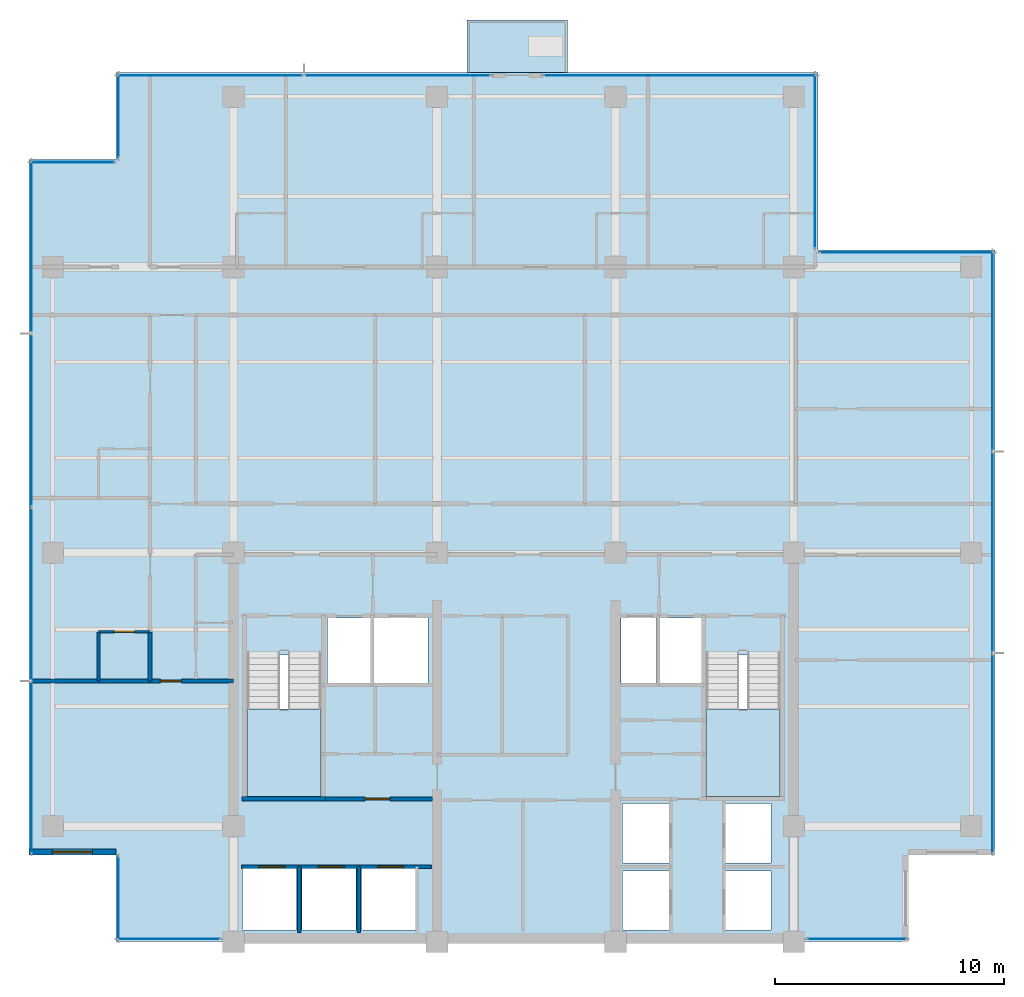
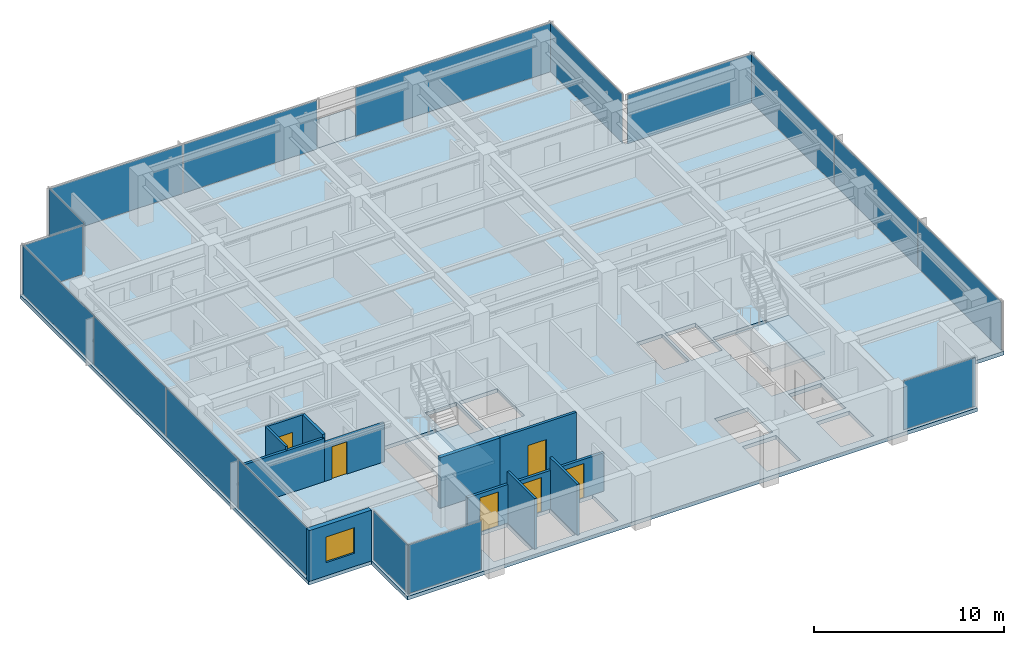
# One storey, part 6 of 15: 17 plates, 11 walls, 6 doors, 4 slabs, 1 window, 7 openings, 13 elements without a shape of their own.
"""IFC4 building model written with IfcOpenShell, lengths in metres."""

import ifcopenshell
import ifcopenshell.guid

model = None  # the IFC model being written
_history = None  # IfcOwnerHistory: only IFC2X3 demands one
_inside = {}  # id of a spatial element -> (the spatial element, [elements in it])
_under = {}  # id of a project, library or spatial element -> (it, [spatial elements below it])
_declared = {}  # id of a project -> (the project, [libraries it declares])
_typed = {}  # id of a type object -> (the type object, [elements of that type])
_made_of = {}  # id of a material, layer set ... -> (it, [elements and type objects made of it])


def new_model(schema):
    """Start an empty IFC model of exactly this schema.

    Asked for "IFC4X3", IfcOpenShell would pick the latest addendum, in which some entities
    have other attributes; the version numbers below select the first issue.
    IFC2X3 requires an IfcOwnerHistory on every rooted entity: one is made here for all.
    """
    global model, _history
    if schema == "IFC4X3":
        model = ifcopenshell.file(schema_version=(4, 3, 0, 0))
    else:
        model = ifcopenshell.file(schema=schema)
    _inside.clear()
    _under.clear()
    _declared.clear()
    _typed.clear()
    _made_of.clear()
    _history = None
    if model.schema == "IFC2X3":
        org = make("IfcOrganization", Name="unknown")
        user = make(
            "IfcPersonAndOrganization",
            ThePerson=make("IfcPerson", FamilyName="unknown"),
            TheOrganization=org,
        )
        app = make(
            "IfcApplication",
            ApplicationDeveloper=org,
            Version="unknown",
            ApplicationFullName="unknown",
            ApplicationIdentifier="unknown",
        )
        _history = make(
            "IfcOwnerHistory",
            OwningUser=user,
            OwningApplication=app,
            ChangeAction="ADDED",
            CreationDate=0,
        )
    return model


def make(cls, **values):
    """One entity of the class cls with the attributes given. An attribute that is None is left unset."""
    return model.create_entity(
        cls, **{name: value for name, value in values.items() if value is not None}
    )


def rooted(cls, **values):
    """An entity with a GlobalId (a new one), such as an element, a storey or a relation."""
    return make(cls, GlobalId=ifcopenshell.guid.new(), OwnerHistory=_history, **values)


def si_unit(unit_type, name, prefix=None):
    """IfcSIUnit, for example si_unit("LENGTHUNIT", "METRE", prefix="MILLI")."""
    return make("IfcSIUnit", UnitType=unit_type, Prefix=prefix, Name=name)


def assignment(units):
    """IfcUnitAssignment: the units of a project."""
    return None if units is None else make("IfcUnitAssignment", Units=units)


def point(xyz):
    """IfcCartesianPoint."""
    return None if xyz is None else make("IfcCartesianPoint", Coordinates=xyz)


def direction(xyz):
    """IfcDirection."""
    return None if xyz is None else make("IfcDirection", DirectionRatios=xyz)


def frame(location, z_axis=None, x_axis=None):
    """IfcAxis2Placement3D, a coordinate frame: its origin and axes. An axis left out is left unset."""
    return make(
        "IfcAxis2Placement3D",
        Location=point(location),
        Axis=direction(z_axis),
        RefDirection=direction(x_axis),
    )


def frame_2d(location, x_axis=None):
    """IfcAxis2Placement2D, a coordinate frame in the plane: its origin and x axis."""
    return make(
        "IfcAxis2Placement2D", Location=point(location), RefDirection=direction(x_axis)
    )


def origin():
    """The frame at (0, 0, 0) with its axes left unset."""
    return frame((0.0, 0.0, 0.0))


def origin_2d():
    """The frame at (0, 0) in the plane with its x axis left unset."""
    return frame_2d((0.0, 0.0))


def place(relative_to, where):
    """IfcLocalPlacement: puts the frame where relative to a parent placement (None: the world)."""
    return make(
        "IfcLocalPlacement", PlacementRelTo=relative_to, RelativePlacement=where
    )


def context(
    kind, dimensions, precision=None, world=None, true_north=None, identifier=None
):
    """IfcGeometricRepresentationContext, for example the 3D "Model" context."""
    return make(
        "IfcGeometricRepresentationContext",
        ContextIdentifier=identifier,
        ContextType=kind,
        CoordinateSpaceDimension=dimensions,
        Precision=precision,
        WorldCoordinateSystem=world,
        TrueNorth=true_north,
    )


def subcontext(parent, identifier, kind, view, scale=None):
    """IfcGeometricRepresentationSubContext, for example "Body" below "Model"."""
    return make(
        "IfcGeometricRepresentationSubContext",
        ContextIdentifier=identifier,
        ContextType=kind,
        ParentContext=parent,
        TargetScale=scale,
        TargetView=view,
    )


def project(units=None, contexts=None):
    """IfcProject with its units and contexts."""
    return rooted(
        "IfcProject",
        Name="project",
        RepresentationContexts=contexts,
        UnitsInContext=assignment(units),
    )


def spatial(cls, under=None, at=None, **own):
    """A site, building, storey or space (cls), placed at a placement, below another one or the project."""
    s = rooted(cls, ObjectPlacement=at, **own)
    if under is not None:
        _under.setdefault(under.id(), (under, []))[1].append(s)
    return s


def polyline(points):
    """IfcPolyline through the points."""
    return make("IfcPolyline", Points=[point(p) for p in points])


def profile(cls, at=None, kind="AREA", **sizes):
    """A parametric profile (cls). Its sizes go by their IFC names, for example OverallWidth=200.0."""
    return make(cls, ProfileType=kind, Position=at, **sizes)


def rectangle(**sizes):
    """IfcRectangleProfileDef."""
    return profile("IfcRectangleProfileDef", **sizes)


def outline(outer, holes=None, kind="AREA"):
    """IfcArbitraryClosedProfileDef: a profile drawn as a closed curve; with holes, ...WithVoids."""
    if holes is None:
        return make("IfcArbitraryClosedProfileDef", ProfileType=kind, OuterCurve=outer)
    return make(
        "IfcArbitraryProfileDefWithVoids",
        ProfileType=kind,
        OuterCurve=outer,
        InnerCurves=holes,
    )


def extrude(swept, where, along, depth):
    """IfcExtrudedAreaSolid: the profile swept, set in the frame where, extruded along a direction by depth."""
    return make(
        "IfcExtrudedAreaSolid",
        SweptArea=swept,
        Position=where,
        ExtrudedDirection=direction(along),
        Depth=depth,
    )


def shape(context_of_items, identifier, shape_type, items):
    """IfcShapeRepresentation: the items that make up one representation, for example the "Body"."""
    return make(
        "IfcShapeRepresentation",
        ContextOfItems=context_of_items,
        RepresentationIdentifier=identifier,
        RepresentationType=shape_type,
        Items=items,
    )


def material(Name=None, Category=None):
    """IfcMaterial."""
    return make("IfcMaterial", Name=Name, Category=Category)


def layer(
    of_material, thickness, ventilated=None, Name=None, Category=None, Priority=None
):
    """IfcMaterialLayer: one layer of a wall or slab, of a material (None: an air gap)."""
    return make(
        "IfcMaterialLayer",
        Material=of_material,
        LayerThickness=thickness,
        IsVentilated=ventilated,
        Name=Name,
        Category=Category,
        Priority=Priority,
    )


def layer_set(layers, Name=None):
    """IfcMaterialLayerSet."""
    return make("IfcMaterialLayerSet", MaterialLayers=layers, LayerSetName=Name)


def made_of(thing, what):
    """Note that an element or type object is made of a material, layer set ...; save() writes the relation."""
    if what is not None:
        _made_of.setdefault(what.id(), (what, []))[1].append(thing)
    return thing


def type_object(cls, material=None, **own):
    """A type object (cls), such as IfcWallType, which elements share."""
    return made_of(rooted(cls, **own), material)


def element(
    cls,
    number,
    at=None,
    inside=None,
    cuts=None,
    type_object=None,
    material=None,
    context=None,
    identifier="Body",
    shape_type=None,
    held_by="IfcProductDefinitionShape",
    body=None,
    shapes=None,
    **own,
):
    """One element of the class cls, such as IfcWall. Its Tag is "e" and its number.

    at: its placement. inside: the storey or other place that contains it. cuts: it is an
    opening in that element (IfcRelVoidsElement). A single representation is given by context,
    identifier, shape_type and body (its items); several are given by shapes. held_by: the class
    of the entity that holds the representations. save() writes the other relations.
    """
    e = rooted(cls, Tag="e%d" % number, ObjectPlacement=at, **own)
    if body is not None:
        shapes = [shape(context, identifier, shape_type, body)]
    if shapes is not None:
        e.Representation = make(held_by, Representations=shapes)
    if inside is not None:
        _inside.setdefault(inside.id(), (inside, []))[1].append(e)
    if cuts is not None:
        rooted(
            "IfcRelVoidsElement", RelatingBuildingElement=cuts, RelatedOpeningElement=e
        )
    if type_object is not None:
        _typed.setdefault(type_object.id(), (type_object, []))[1].append(e)
    return made_of(e, material)


def fill(opening, filler):
    """IfcRelFillsElement: the door or window that sits in an opening."""
    return rooted(
        "IfcRelFillsElement",
        RelatingOpeningElement=opening,
        RelatedBuildingElement=filler,
    )


def aggregate(whole, parts):
    """IfcRelAggregates: a whole, such as a stair, and the parts it consists of."""
    return rooted("IfcRelAggregates", RelatingObject=whole, RelatedObjects=parts)


def save(model, path):
    """Write the relations noted so far, then the file.

    IfcRelAggregates (storeys below a building ...), IfcRelContainedInSpatialStructure (elements
    in a storey), IfcRelDefinesByType, IfcRelAssociatesMaterial and IfcRelDeclares: one each for
    every whole, place, type object, material and project.
    """
    for whole, parts in _under.values():
        aggregate(whole, parts)
    for where, things in _inside.values():
        rooted(
            "IfcRelContainedInSpatialStructure",
            RelatedElements=things,
            RelatingStructure=where,
        )
    for kind, things in _typed.values():
        rooted("IfcRelDefinesByType", RelatedObjects=things, RelatingType=kind)
    for what, things in _made_of.values():
        rooted("IfcRelAssociatesMaterial", RelatedObjects=things, RelatingMaterial=what)
    for by, libraries in _declared.values():
        rooted("IfcRelDeclares", RelatingContext=by, RelatedDefinitions=libraries)
    model.write(path)


model = new_model("IFC4")

# Units and contexts
model_context = context("Model", 3, precision=1e-05, world=origin(), true_north=direction((0.0, 1.0)))
body_context = subcontext(model_context, "Body", "Model", "MODEL_VIEW")
ifc_project = project(units=[si_unit("LENGTHUNIT", "METRE"), si_unit("AREAUNIT", "SQUARE_METRE"), si_unit("VOLUMEUNIT", "CUBIC_METRE"), si_unit("PLANEANGLEUNIT", "RADIAN"), si_unit("MASSUNIT", "GRAM", prefix="KILO")], contexts=[model_context])

# Site, building, storey
site_placement = place(None, origin())
site = spatial("IfcSite", under=ifc_project, at=site_placement, CompositionType="ELEMENT")
building_placement = place(site_placement, origin())
building = spatial("IfcBuilding", under=site, at=building_placement, Name="Qalmaran Belvedere Hotel", CompositionType="ELEMENT")
storey_placement = place(building_placement, frame((0.0, 0.0, 214.39990234375)))
storey = spatial("IfcBuildingStorey", under=building, at=storey_placement, Name="L54", CompositionType="ELEMENT", Elevation=214.39990234375)

# Curtain wall, plate
ifc_material_1 = material(Name="Anodised Bronze Aluminium", Category="aluminium")
ifc_layer_1 = layer(ifc_material_1, 0.18994140625, Name="Anodised Bronze Aluminium")
ifc_layer_set_1 = layer_set([ifc_layer_1], Name="Anodised Bronze Aluminium")
curtain_wall_type = type_object("IfcCurtainWallType", Name="CW5-TOWER-UPPER", PredefinedType="NOTDEFINED", material=ifc_layer_set_1)
curtain_wall_1_placement = place(storey_placement, origin())
curtain_wall_1 = element("IfcCurtainWall", 1, at=curtain_wall_1_placement, inside=storey, type_object=curtain_wall_type, Name="L54 Curtain Wall CW5", PredefinedType="NOTDEFINED")
ifc_material_2 = material(Name="Solar-Control Double Glazing", Category="glass")
ifc_layer_2 = layer(ifc_material_2, 0.028076171875, Name="Solar-Control Double Glazing")
ifc_layer_set_2 = layer_set([ifc_layer_2], Name="Solar-Control Double Glazing")
plate_type = type_object("IfcPlateType", Name="CWP-VISION-28", PredefinedType="CURTAIN_PANEL", material=ifc_layer_set_2)
plate_1_placement = place(storey_placement, frame((17.467529296875, 3.6201171875, 0.065185546875), z_axis=(0.0, 0.0, 1.0), x_axis=(1.0, 0.0, 0.0)))
plate_1 = element("IfcPlate", 2, at=plate_1_placement, type_object=plate_type, Name="CW5 panel 1.1", PredefinedType="CURTAIN_PANEL", context=body_context, shape_type="SweptSolid", body=[
    extrude(rectangle(XDim=4.5048828125, YDim=0.028076171875, at=origin_2d()), origin(), (0.0, 0.0, 1.0), 3.1298828125),
])
aggregate(curtain_wall_1, [plate_1])

curtain_wall_2_placement = place(storey_placement, origin())
curtain_wall_2 = element("IfcCurtainWall", 3, at=curtain_wall_2_placement, inside=storey, type_object=curtain_wall_type, Name="L54 Curtain Wall CW5", PredefinedType="NOTDEFINED")
plate_2_placement = place(storey_placement, frame((47.5576171875, 3.6201171875, 0.065185546875), z_axis=(0.0, 0.0, 1.0), x_axis=(1.0, 0.0, 0.0)))
plate_2 = element("IfcPlate", 4, at=plate_2_placement, type_object=plate_type, Name="CW5 panel 1.1", PredefinedType="CURTAIN_PANEL", context=body_context, shape_type="SweptSolid", body=[
    extrude(rectangle(XDim=4.35498046875, YDim=0.028076171875, at=origin_2d()), origin(), (0.0, 0.0, 1.0), 3.1298828125),
])
aggregate(curtain_wall_2, [plate_2])

# Curtain wall, plates
curtain_wall_3_placement = place(storey_placement, origin())
curtain_wall_3 = element("IfcCurtainWall", 5, at=curtain_wall_3_placement, inside=storey, type_object=curtain_wall_type, Name="L54 Curtain Wall CW5", PredefinedType="NOTDEFINED")
plate_3_placement = place(storey_placement, frame((53.47998046875, 11.724609375, 0.065185546875), z_axis=(0.0, 0.0, 1.0), x_axis=(0.0, 1.0, 0.0)))
plate_3 = element("IfcPlate", 6, at=plate_3_placement, type_object=plate_type, Name="CW5 panel 1.1", PredefinedType="CURTAIN_PANEL", context=body_context, shape_type="SweptSolid", body=[
    extrude(rectangle(XDim=8.71923828125, YDim=0.028076171875, at=origin_2d()), origin(), (0.0, 0.0, 1.0), 3.1298828125),
])
plate_4_placement = place(storey_placement, frame((53.47998046875, 20.52490234375, 0.065185546875), z_axis=(0.0, 0.0, 1.0), x_axis=(0.0, 1.0, 0.0)))
plate_4 = element("IfcPlate", 7, at=plate_4_placement, type_object=plate_type, Name="CW5 panel 2.1", PredefinedType="CURTAIN_PANEL", context=body_context, shape_type="SweptSolid", body=[
    extrude(rectangle(XDim=8.751708984375, YDim=0.028076171875, at=origin_2d()), origin(), (0.0, 0.0, 1.0), 3.1298828125),
])
plate_5_placement = place(storey_placement, frame((53.47998046875, 29.325439453125, 0.065185546875), z_axis=(0.0, 0.0, 1.0), x_axis=(0.0, 1.0, 0.0)))
plate_5 = element("IfcPlate", 8, at=plate_5_placement, type_object=plate_type, Name="CW5 panel 3.1", PredefinedType="CURTAIN_PANEL", context=body_context, shape_type="SweptSolid", body=[
    extrude(rectangle(XDim=8.71923828125, YDim=0.028076171875, at=origin_2d()), origin(), (0.0, 0.0, 1.0), 3.1298828125),
])
aggregate(curtain_wall_3, [plate_3, plate_4, plate_5])

# Curtain wall, plate
curtain_wall_4_placement = place(storey_placement, origin())
curtain_wall_4 = element("IfcCurtainWall", 9, at=curtain_wall_4_placement, inside=storey, type_object=curtain_wall_type, Name="L54 Curtain Wall CW5", PredefinedType="NOTDEFINED")
plate_6_placement = place(storey_placement, frame((49.72509765625, 33.6298828125, 0.065185546875), z_axis=(0.0, 0.0, 1.0), x_axis=(-1.0, 0.0, 0.0)))
plate_6 = element("IfcPlate", 10, at=plate_6_placement, type_object=plate_type, Name="CW5 panel 1.1", PredefinedType="CURTAIN_PANEL", context=body_context, shape_type="SweptSolid", body=[
    extrude(rectangle(XDim=7.6201171875, YDim=0.028076171875, at=origin_2d()), origin(), (0.0, 0.0, 1.0), 3.1298828125),
])
aggregate(curtain_wall_4, [plate_6])

curtain_wall_5_placement = place(storey_placement, origin())
curtain_wall_5 = element("IfcCurtainWall", 11, at=curtain_wall_5_placement, inside=storey, type_object=curtain_wall_type, Name="L54 Curtain Wall CW5", PredefinedType="NOTDEFINED")
plate_7_placement = place(storey_placement, frame((45.72998046875, 37.625, 0.065185546875), z_axis=(0.0, 0.0, 1.0), x_axis=(0.0, 1.0, 0.0)))
plate_7 = element("IfcPlate", 12, at=plate_7_placement, type_object=plate_type, Name="CW5 panel 1.1", PredefinedType="CURTAIN_PANEL", context=body_context, shape_type="SweptSolid", body=[
    extrude(rectangle(XDim=7.6201171875, YDim=0.028076171875, at=origin_2d()), origin(), (0.0, 0.0, 1.0), 3.1298828125),
])
aggregate(curtain_wall_5, [plate_7])

# Curtain wall, plates
curtain_wall_6_placement = place(storey_placement, origin())
curtain_wall_6 = element("IfcCurtainWall", 13, at=curtain_wall_6_placement, inside=storey, type_object=curtain_wall_type, Name="L54 Curtain Wall CW5", PredefinedType="NOTDEFINED")
plate_8_placement = place(storey_placement, frame((27.47119140625, 41.3798828125, 0.065185546875), z_axis=(0.0, 0.0, 1.0), x_axis=(-1.0, 0.0, 0.0)))
plate_8 = element("IfcPlate", 14, at=plate_8_placement, type_object=plate_type, Name="CW5 panel 1.1", PredefinedType="CURTAIN_PANEL", context=body_context, shape_type="SweptSolid", body=[
    extrude(rectangle(XDim=8.12744140625, YDim=0.028076171875, at=origin_2d()), origin(), (0.0, 0.0, 1.0), 3.1298828125),
])
plate_9_placement = place(storey_placement, frame((19.27880859375, 41.3798828125, 0.065185546875), z_axis=(0.0, 0.0, 1.0), x_axis=(-1.0, 0.0, 0.0)))
plate_9 = element("IfcPlate", 15, at=plate_9_placement, type_object=plate_type, Name="CW5 panel 2.1", PredefinedType="CURTAIN_PANEL", context=body_context, shape_type="SweptSolid", body=[
    extrude(rectangle(XDim=8.12744140625, YDim=0.028076171875, at=origin_2d()), origin(), (0.0, 0.0, 1.0), 3.1298828125),
])
aggregate(curtain_wall_6, [plate_8, plate_9])

# Curtain wall, plate
curtain_wall_7_placement = place(storey_placement, origin())
curtain_wall_7 = element("IfcCurtainWall", 16, at=curtain_wall_7_placement, inside=storey, type_object=curtain_wall_type, Name="L54 Curtain Wall CW5", PredefinedType="NOTDEFINED")
plate_10_placement = place(storey_placement, frame((39.824951171875, 41.3798828125, 0.065185546875), z_axis=(0.0, 0.0, 1.0), x_axis=(-1.0, 0.0, 0.0)))
plate_10 = element("IfcPlate", 17, at=plate_10_placement, type_object=plate_type, Name="CW5 panel 1.1", PredefinedType="CURTAIN_PANEL", context=body_context, shape_type="SweptSolid", body=[
    extrude(rectangle(XDim=11.919921875, YDim=0.028076171875, at=origin_2d()), origin(), (0.0, 0.0, 1.0), 3.1298828125),
])
aggregate(curtain_wall_7, [plate_10])

curtain_wall_8_placement = place(storey_placement, origin())
curtain_wall_8 = element("IfcCurtainWall", 18, at=curtain_wall_8_placement, inside=storey, type_object=curtain_wall_type, Name="L54 Curtain Wall CW5", PredefinedType="NOTDEFINED")
plate_11_placement = place(storey_placement, frame((15.27001953125, 39.60009765625, 0.065185546875), z_axis=(0.0, 0.0, 1.0), x_axis=(0.0, -1.0, 0.0)))
plate_11 = element("IfcPlate", 19, at=plate_11_placement, type_object=plate_type, Name="CW5 panel 1.1", PredefinedType="CURTAIN_PANEL", context=body_context, shape_type="SweptSolid", body=[
    extrude(rectangle(XDim=3.669921875, YDim=0.028076171875, at=origin_2d()), origin(), (0.0, 0.0, 1.0), 3.1298828125),
])
aggregate(curtain_wall_8, [plate_11])

curtain_wall_9_placement = place(storey_placement, origin())
curtain_wall_9 = element("IfcCurtainWall", 20, at=curtain_wall_9_placement, inside=storey, type_object=curtain_wall_type, Name="L54 Curtain Wall CW5", PredefinedType="NOTDEFINED")
plate_12_placement = place(storey_placement, frame((13.25, 37.580078125, 0.065185546875), z_axis=(0.0, 0.0, 1.0), x_axis=(-1.0, 0.0, 0.0)))
plate_12 = element("IfcPlate", 21, at=plate_12_placement, type_object=plate_type, Name="CW5 panel 1.1", PredefinedType="CURTAIN_PANEL", context=body_context, shape_type="SweptSolid", body=[
    extrude(rectangle(XDim=3.669921875, YDim=0.028076171875, at=origin_2d()), origin(), (0.0, 0.0, 1.0), 3.1298828125),
])
aggregate(curtain_wall_9, [plate_12])

# Curtain wall, plates
curtain_wall_10_placement = place(storey_placement, origin())
curtain_wall_10 = element("IfcCurtainWall", 22, at=curtain_wall_10_placement, inside=storey, type_object=curtain_wall_type, Name="L54 Curtain Wall CW5", PredefinedType="NOTDEFINED")
plate_13_placement = place(storey_placement, frame((11.469970703125, 33.8837890625, 0.065185546875), z_axis=(0.0, 0.0, 1.0), x_axis=(0.0, -1.0, 0.0)))
plate_13 = element("IfcPlate", 23, at=plate_13_placement, type_object=plate_type, Name="CW5 panel 1.1", PredefinedType="CURTAIN_PANEL", context=body_context, shape_type="SweptSolid", body=[
    extrude(rectangle(XDim=7.50244140625, YDim=0.028076171875, at=origin_2d()), origin(), (0.0, 0.0, 1.0), 3.1298828125),
])
plate_14_placement = place(storey_placement, frame((11.469970703125, 26.300048828125, 0.065185546875), z_axis=(0.0, 0.0, 1.0), x_axis=(0.0, -1.0, 0.0)))
plate_14 = element("IfcPlate", 24, at=plate_14_placement, type_object=plate_type, Name="CW5 panel 2.1", PredefinedType="CURTAIN_PANEL", context=body_context, shape_type="SweptSolid", body=[
    extrude(rectangle(XDim=7.534912109375, YDim=0.028076171875, at=origin_2d()), origin(), (0.0, 0.0, 1.0), 3.1298828125),
])
plate_15_placement = place(storey_placement, frame((11.469970703125, 18.699951171875, 0.065185546875), z_axis=(0.0, 0.0, 1.0), x_axis=(0.0, -1.0, 0.0)))
plate_15 = element("IfcPlate", 25, at=plate_15_placement, type_object=plate_type, Name="CW5 panel 3.1", PredefinedType="CURTAIN_PANEL", context=body_context, shape_type="SweptSolid", body=[
    extrude(rectangle(XDim=7.534912109375, YDim=0.028076171875, at=origin_2d()), origin(), (0.0, 0.0, 1.0), 3.1298828125),
])
plate_16_placement = place(storey_placement, frame((11.469970703125, 11.1162109375, 0.065185546875), z_axis=(0.0, 0.0, 1.0), x_axis=(0.0, -1.0, 0.0)))
plate_16 = element("IfcPlate", 26, at=plate_16_placement, type_object=plate_type, Name="CW5 panel 4.1", PredefinedType="CURTAIN_PANEL", context=body_context, shape_type="SweptSolid", body=[
    extrude(rectangle(XDim=7.50244140625, YDim=0.028076171875, at=origin_2d()), origin(), (0.0, 0.0, 1.0), 3.1298828125),
])
aggregate(curtain_wall_10, [plate_13, plate_14, plate_15, plate_16])

# Curtain wall, plate
curtain_wall_11_placement = place(storey_placement, origin())
curtain_wall_11 = element("IfcCurtainWall", 27, at=curtain_wall_11_placement, inside=storey, type_object=curtain_wall_type, Name="L54 Curtain Wall CW5", PredefinedType="NOTDEFINED")
plate_17_placement = place(storey_placement, frame((15.27001953125, 5.39990234375, 0.065185546875), z_axis=(0.0, 0.0, 1.0), x_axis=(0.0, -1.0, 0.0)))
plate_17 = element("IfcPlate", 28, at=plate_17_placement, type_object=plate_type, Name="CW5 panel 1.1", PredefinedType="CURTAIN_PANEL", context=body_context, shape_type="SweptSolid", body=[
    extrude(rectangle(XDim=3.669921875, YDim=0.028076171875, at=origin_2d()), origin(), (0.0, 0.0, 1.0), 3.1298828125),
])
aggregate(curtain_wall_11, [plate_17])

# Slab
ifc_material_3 = material(Name="Concrete C40/50", Category="concrete")
ifc_layer_3 = layer(ifc_material_3, 0.219970703125, Name="Concrete C40/50")
ifc_layer_set_3 = layer_set([ifc_layer_3], Name="Concrete C40/50")
slab_type_1 = type_object("IfcSlabType", Name="SLB-BAL-220", PredefinedType="USERDEFINED", material=ifc_layer_set_3)
slab_1_placement = place(storey_placement, frame((0.0, 0.0, -0.219970703125)))
element("IfcSlab", 29, at=slab_1_placement, inside=storey, type_object=slab_type_1, Name="L54 Planted Tree Balcony Slab 1", ObjectType="BALCONY", PredefinedType="USERDEFINED", context=body_context, shape_type="SweptSolid", body=[
    extrude(outline(polyline([(30.5, 41.5), (34.89990234375, 41.5), (34.89990234375, 43.800048828125), (30.5, 43.800048828125), (30.5, 41.5)])), origin(), (0.0, 0.0, 1.0), 0.219970703125),
])

# Stair, slab
stair_type_1 = type_object("IfcStairType", Name="STR-ST-1-1450-R1750", PredefinedType="HALF_TURN_STAIR", material=ifc_material_3)
stair_1_placement = place(storey_placement, origin())
stair_1 = element("IfcStair", 30, at=stair_1_placement, inside=storey, type_object=stair_type_1, Name="L54 West Core Exit Stair ST-1", PredefinedType="HALF_TURN_STAIR")
ifc_layer_4 = layer(ifc_material_3, 0.199951171875, Name="Concrete C40/50")
ifc_layer_set_4 = layer_set([ifc_layer_4], Name="Concrete C40/50")
slab_type_2 = type_object("IfcSlabType", Name="SLB-STAIR-LANDING-200", PredefinedType="LANDING", material=ifc_layer_set_4)
slab_2_placement = place(storey_placement, frame((0.0, 0.0, 1.550048828125)))
slab_2 = element("IfcSlab", 31, at=slab_2_placement, type_object=slab_type_2, Name="ST-1 landing 1", PredefinedType="LANDING", context=body_context, shape_type="SweptSolid", body=[
    extrude(outline(polyline([(20.8798828125, 13.669921875), (20.8798828125, 9.85009765625), (24.1201171875, 9.85009765625), (24.1201171875, 13.669921875), (20.8798828125, 13.669921875)])), origin(), (0.0, 0.0, 1.0), 0.199951171875),
])
aggregate(stair_1, [slab_2])

stair_type_2 = type_object("IfcStairType", Name="STR-ST-2-1450-R1750", PredefinedType="HALF_TURN_STAIR", material=ifc_material_3)
stair_2_placement = place(storey_placement, origin())
stair_2 = element("IfcStair", 32, at=stair_2_placement, inside=storey, type_object=stair_type_2, Name="L54 East Core Exit Stair ST-2", PredefinedType="HALF_TURN_STAIR")
slab_3_placement = place(storey_placement, frame((0.0, 0.0, 1.550048828125)))
slab_3 = element("IfcSlab", 33, at=slab_3_placement, type_object=slab_type_2, Name="ST-2 landing 1", PredefinedType="LANDING", context=body_context, shape_type="SweptSolid", body=[
    extrude(outline(polyline([(40.9599609375, 13.669921875), (40.9599609375, 9.85009765625), (44.199951171875, 9.85009765625), (44.199951171875, 13.669921875), (40.9599609375, 13.669921875)])), origin(), (0.0, 0.0, 1.0), 0.199951171875),
])
aggregate(stair_2, [slab_3])

# Slab
ifc_layer_5 = layer(ifc_material_3, 0.239990234375, Name="Concrete C40/50")
ifc_layer_set_5 = layer_set([ifc_layer_5], Name="Concrete C40/50")
slab_type_3 = type_object("IfcSlabType", Name="SLB-Z4-240", PredefinedType="FLOOR", material=ifc_layer_set_5)
slab_4_placement = place(storey_placement, frame((0.0, 0.0, -0.239990234375)))
element("IfcSlab", 34, at=slab_4_placement, inside=storey, type_object=slab_type_3, Name="L54 Structural Floor Slab", PredefinedType="FLOOR", context=body_context, shape_type="SweptSolid", body=[
    extrude(outline(polyline([(15.14990234375, 3.5), (49.800048828125, 3.5), (49.800048828125, 7.300048828125), (53.60009765625, 7.300048828125), (53.60009765625, 33.75), (45.85009765625, 33.75), (45.85009765625, 41.5), (15.14990234375, 41.5), (15.14990234375, 37.699951171875), (11.35009765625, 37.699951171875), (11.35009765625, 7.300048828125), (15.14990234375, 7.300048828125), (15.14990234375, 3.5)]), holes=[polyline([(20.8798828125, 9.85009765625), (24.1201171875, 9.85009765625), (24.1201171875, 16.0400390625), (20.8798828125, 16.0400390625), (20.8798828125, 9.85009765625)]), polyline([(40.9599609375, 9.85009765625), (44.199951171875, 9.85009765625), (44.199951171875, 16.0400390625), (40.9599609375, 16.0400390625), (40.9599609375, 9.85009765625)]), polyline([(37.300048828125, 4.0), (39.35009765625, 4.0), (39.35009765625, 6.60009765625), (37.300048828125, 6.60009765625), (37.300048828125, 4.0)]), polyline([(37.300048828125, 6.949951171875), (39.35009765625, 6.949951171875), (39.35009765625, 9.550048828125), (37.300048828125, 9.550048828125), (37.300048828125, 6.949951171875)]), polyline([(41.800048828125, 4.0), (43.800048828125, 4.0), (43.800048828125, 6.60009765625), (41.800048828125, 6.60009765625), (41.800048828125, 4.0)]), polyline([(41.800048828125, 6.949951171875), (43.800048828125, 6.949951171875), (43.800048828125, 9.550048828125), (41.800048828125, 9.550048828125), (41.800048828125, 6.949951171875)]), polyline([(20.699951171875, 4.0), (23.050048828125, 4.0), (23.050048828125, 6.699951171875), (20.699951171875, 6.699951171875), (20.699951171875, 4.0)]), polyline([(23.300048828125, 4.0), (25.64990234375, 4.0), (25.64990234375, 6.699951171875), (23.300048828125, 6.699951171875), (23.300048828125, 4.0)]), polyline([(25.89990234375, 4.0), (28.25, 4.0), (28.25, 6.699951171875), (25.89990234375, 6.699951171875), (25.89990234375, 4.0)]), polyline([(24.39990234375, 14.800048828125), (26.300048828125, 14.800048828125), (26.300048828125, 17.64990234375), (24.39990234375, 17.64990234375), (24.39990234375, 14.800048828125)]), polyline([(38.949951171875, 14.800048828125), (40.820068359375, 14.800048828125), (40.820068359375, 17.64990234375), (38.949951171875, 17.64990234375), (38.949951171875, 14.800048828125)]), polyline([(26.449951171875, 14.800048828125), (28.800048828125, 14.800048828125), (28.800048828125, 17.64990234375), (26.449951171875, 17.64990234375), (26.449951171875, 14.800048828125)]), polyline([(37.25, 14.800048828125), (38.800048828125, 14.800048828125), (38.800048828125, 17.64990234375), (37.25, 17.64990234375), (37.25, 14.800048828125)])]), origin(), (0.0, 0.0, 1.0), 0.239990234375),
])

# Wall, opening, window
ifc_material_4 = material(Name="Anodised Bronze Cladding")
ifc_layer_6 = layer(ifc_material_4, 0.280029296875, Name="Anodised Bronze Cladding")
ifc_layer_set_6 = layer_set([ifc_layer_6], Name="Anodised Bronze Cladding")
wall_type_1 = type_object("IfcWallType", Name="WL-EXT-BRNZ-280", PredefinedType="SOLIDWALL", material=ifc_layer_set_6)
wall_1_placement = place(storey_placement, frame((11.35009765625, 7.419921875, 0.0), z_axis=(0.0, 0.0, 1.0), x_axis=(1.0, 0.0, 0.0)))
wall_1 = element("IfcWall", 35, at=wall_1_placement, inside=storey, type_object=wall_type_1, Name="L54 Corner Notch Wall 10", PredefinedType="SOLIDWALL", context=body_context, shape_type="SweptSolid", body=[
    extrude(rectangle(XDim=3.7998046875, YDim=0.280029296875, at=frame_2d((1.89990234375, 0.0))), origin(), (0.0, 0.0, 1.0), 3.260009765625),
])
opening_1_placement = place(wall_1_placement, frame((1.02490234375, 0.0, 0.85009765625)))
opening_1 = element("IfcOpeningElement", 36, at=opening_1_placement, cuts=wall_1, Name="Opening W-N17", PredefinedType="OPENING", context=body_context, shape_type="SweptSolid", body=[
    extrude(rectangle(XDim=1.75, YDim=1.64990234375, at=frame_2d((0.875, 0.824951171875))), frame((0.0, 0.14990234375, 0.0), z_axis=(0.0, -1.0, 0.0), x_axis=(1.0, 0.0, 0.0)), (0.0, 0.0, 1.0), 0.300048828125),
])
window_type = type_object("IfcWindowType", Name="WN-NTC-1750X1650", PartitioningType="SINGLE_PANEL", PredefinedType="WINDOW", material=ifc_material_2)
window_placement = place(opening_1_placement, origin())
window = element("IfcWindow", 37, at=window_placement, inside=storey, type_object=window_type, Name="L54 Corner Notch Window 10", OverallHeight=1.64990234375, OverallWidth=1.75, PartitioningType="SINGLE_PANEL", PredefinedType="WINDOW", context=body_context, shape_type="SweptSolid", body=[
    extrude(rectangle(XDim=1.75, YDim=1.64990234375, at=frame_2d((0.875, 0.824951171875))), frame((0.0, 0.030029296875, 0.0), z_axis=(0.0, -1.0, 0.0), x_axis=(1.0, 0.0, 0.0)), (0.0, 0.0, 1.0), 0.06005859375),
])
fill(opening_1, window)

# Wall, opening, door
ifc_material_5 = material(Name="Moisture-Resistant Gypsum")
ifc_layer_7 = layer(ifc_material_5, 0.1201171875, Name="Moisture-Resistant Gypsum")
ifc_layer_set_7 = layer_set([ifc_layer_7], Name="Moisture-Resistant Gypsum")
wall_type_2 = type_object("IfcWallType", Name="WL-INT-120-BATH", PredefinedType="PARTITIONING", material=ifc_layer_set_7)
wall_2_placement = place(storey_placement, frame((14.39990234375, 17.050048828125, 0.0), z_axis=(0.0, 0.0, 1.0), x_axis=(1.0, 0.0, 0.0)))
wall_2 = element("IfcWall", 38, at=wall_2_placement, inside=storey, type_object=wall_type_2, Name="L54 Partition WL-L54-WBN00", PredefinedType="PARTITIONING", context=body_context, shape_type="SweptSolid", body=[
    extrude(rectangle(XDim=2.25, YDim=0.1201171875, at=frame_2d((1.125, 0.0))), origin(), (0.0, 0.0, 1.0), 2.998046875),
])
opening_2_placement = place(wall_2_placement, frame((1.56494140625, 0.0, 0.0), z_axis=(0.0, 0.0, 1.0), x_axis=(-1.0, 0.0, 0.0)))
opening_2 = element("IfcOpeningElement", 39, at=opening_2_placement, cuts=wall_2, Name="Opening D-BATH", PredefinedType="OPENING", context=body_context, shape_type="SweptSolid", body=[
    extrude(rectangle(XDim=0.8798828125, YDim=2.080078125, at=frame_2d((0.43994140625, 1.0400390625))), frame((0.0, 0.070068359375, 0.0), z_axis=(0.0, -1.0, 0.0), x_axis=(1.0, 0.0, 0.0)), (0.0, 0.0, 1.0), 0.14013671875),
])
ifc_material_6 = material(Name="Engineered Oak Veneer")
door_type_1 = type_object("IfcDoorType", Name="DR-INT-BATH-880X2080", OperationType="NOTDEFINED", PredefinedType="DOOR", material=ifc_material_6)
door_1_placement = place(opening_2_placement, origin())
door_1 = element("IfcDoor", 40, at=door_1_placement, inside=storey, type_object=door_type_1, Name="L54 W Ensuite Door 01", OperationType="SINGLE_SWING_RIGHT", OverallHeight=2.080078125, OverallWidth=0.8798828125, PredefinedType="DOOR", context=body_context, shape_type="SweptSolid", body=[
    extrude(rectangle(XDim=0.8798828125, YDim=2.080078125, at=frame_2d((0.43994140625, 1.0400390625))), frame((0.0, 0.02490234375, 0.0), z_axis=(0.0, -1.0, 0.0), x_axis=(1.0, 0.0, 0.0)), (0.0, 0.0, 1.0), 0.050048828125),
])
fill(opening_2, door_1)

# Walls
wall_3_placement = place(storey_placement, frame((14.39990234375, 14.89990234375, 0.0), z_axis=(0.0, 0.0, 1.0), x_axis=(0.0, 1.0, 0.0)))
element("IfcWall", 41, at=wall_3_placement, inside=storey, type_object=wall_type_2, Name="L54 Partition WL-L54-WBS00", PredefinedType="PARTITIONING", context=body_context, shape_type="SweptSolid", body=[
    extrude(rectangle(XDim=2.150146484375, YDim=0.1201171875, at=frame_2d((1.0751953125, 0.0))), origin(), (0.0, 0.0, 1.0), 2.998046875),
])
ifc_material_7 = material(Name="Gypsum Stud Partition")
ifc_layer_8 = layer(ifc_material_7, 0.14990234375, Name="Gypsum Stud Partition")
ifc_layer_set_8 = layer_set([ifc_layer_8], Name="Gypsum Stud Partition")
wall_type_3 = type_object("IfcWallType", Name="WL-INT-150-EI120", PredefinedType="PARTITIONING", material=ifc_layer_set_8)
for number, where, z_axis, x_axis, name in (
    (42, (23.179931640625, 3.89990234375, 0.0), (0.0, 0.0, 1.0), (0.0, 1.0, 0.0), "L54 Partition WL-POM1-L54"),
    (43, (25.780029296875, 3.89990234375, 0.0), (0.0, 0.0, 1.0), (0.0, 1.0, 0.0), "L54 Partition WL-POM2-L54"),
):
    element("IfcWall", number, at=place(storey_placement, frame(where, z_axis=z_axis, x_axis=x_axis)), inside=storey, type_object=wall_type_3, Name=name, PredefinedType="PARTITIONING", context=body_context, shape_type="SweptSolid", body=[
        extrude(rectangle(XDim=2.880126953125, YDim=0.14990234375, at=frame_2d((1.43994140625, 0.0))), origin(), (0.0, 0.0, 1.0), 3.260009765625),
    ])

# Wall, openings, doors
ifc_layer_9 = layer(ifc_material_7, 0.159912109375, Name="Gypsum Stud Partition")
ifc_layer_set_9 = layer_set([ifc_layer_9], Name="Gypsum Stud Partition")
wall_type_4 = type_object("IfcWallType", Name="WL-INT-160-EI120", PredefinedType="PARTITIONING", material=ifc_layer_set_9)
wall_4_placement = place(storey_placement, frame((20.64990234375, 6.780029296875, 0.0), z_axis=(0.0, 0.0, 1.0), x_axis=(1.0, 0.0, 0.0)))
wall_4 = element("IfcWall", 44, at=wall_4_placement, inside=storey, type_object=wall_type_4, Name="L54 Partition WL-POS-L54", PredefinedType="PARTITIONING", context=body_context, shape_type="SweptSolid", body=[
    extrude(rectangle(XDim=8.300048828125, YDim=0.159912109375, at=frame_2d((4.14990234375, 0.0))), origin(), (0.0, 0.0, 1.0), 2.47216796875),
])
opening_3_placement = place(wall_4_placement, frame((0.75, 0.0, 0.0)))
opening_3 = element("IfcOpeningElement", 45, at=opening_3_placement, cuts=wall_4, Name="Opening LD-PO", PredefinedType="OPENING", context=body_context, shape_type="SweptSolid", body=[
    extrude(rectangle(XDim=1.14990234375, YDim=2.199951171875, at=frame_2d((0.574951171875, 1.10009765625))), frame((0.0, 0.08984375, 0.0), z_axis=(0.0, -1.0, 0.0), x_axis=(1.0, 0.0, 0.0)), (0.0, 0.0, 1.0), 0.179931640625),
])
opening_4_placement = place(wall_4_placement, frame((3.35009765625, 0.0, 0.0)))
opening_4 = element("IfcOpeningElement", 46, at=opening_4_placement, cuts=wall_4, Name="Opening LD-PO", PredefinedType="OPENING", context=body_context, shape_type="SweptSolid", body=[
    extrude(rectangle(XDim=1.14990234375, YDim=2.199951171875, at=frame_2d((0.574951171875, 1.10009765625))), frame((0.0, 0.08984375, 0.0), z_axis=(0.0, -1.0, 0.0), x_axis=(1.0, 0.0, 0.0)), (0.0, 0.0, 1.0), 0.179931640625),
])
opening_5_placement = place(wall_4_placement, frame((5.949951171875, 0.0, 0.0)))
opening_5 = element("IfcOpeningElement", 47, at=opening_5_placement, cuts=wall_4, Name="Opening LD-PO", PredefinedType="OPENING", context=body_context, shape_type="SweptSolid", body=[
    extrude(rectangle(XDim=1.14990234375, YDim=2.199951171875, at=frame_2d((0.574951171875, 1.10009765625))), frame((0.0, 0.08984375, 0.0), z_axis=(0.0, -1.0, 0.0), x_axis=(1.0, 0.0, 0.0)), (0.0, 0.0, 1.0), 0.179931640625),
])
door_type_2 = type_object("IfcDoorType", Name="DR-LIFT-PO-1150X2200", OperationType="DOUBLE_DOOR_SLIDING", PredefinedType="DOOR", material=ifc_material_1)
door_2_placement = place(opening_3_placement, origin())
door_2 = element("IfcDoor", 48, at=door_2_placement, inside=storey, type_object=door_type_2, Name="L54 PO1 Shuttle Landing Door", OperationType="DOUBLE_DOOR_SLIDING", OverallHeight=2.199951171875, OverallWidth=1.14990234375, PredefinedType="DOOR", context=body_context, shape_type="SweptSolid", body=[
    extrude(rectangle(XDim=1.14990234375, YDim=2.199951171875, at=frame_2d((0.574951171875, 1.10009765625))), frame((0.0, 0.02490234375, 0.0), z_axis=(0.0, -1.0, 0.0), x_axis=(1.0, 0.0, 0.0)), (0.0, 0.0, 1.0), 0.050048828125),
])
fill(opening_3, door_2)
door_3_placement = place(opening_4_placement, origin())
door_3 = element("IfcDoor", 49, at=door_3_placement, inside=storey, type_object=door_type_2, Name="L54 PO2 Shuttle Landing Door", OperationType="DOUBLE_DOOR_SLIDING", OverallHeight=2.199951171875, OverallWidth=1.14990234375, PredefinedType="DOOR", context=body_context, shape_type="SweptSolid", body=[
    extrude(rectangle(XDim=1.14990234375, YDim=2.199951171875, at=frame_2d((0.574951171875, 1.10009765625))), frame((0.0, 0.02490234375, 0.0), z_axis=(0.0, -1.0, 0.0), x_axis=(1.0, 0.0, 0.0)), (0.0, 0.0, 1.0), 0.050048828125),
])
fill(opening_4, door_3)
door_4_placement = place(opening_5_placement, origin())
door_4 = element("IfcDoor", 50, at=door_4_placement, inside=storey, type_object=door_type_2, Name="L54 PO3 Shuttle Landing Door", OperationType="DOUBLE_DOOR_SLIDING", OverallHeight=2.199951171875, OverallWidth=1.14990234375, PredefinedType="DOOR", context=body_context, shape_type="SweptSolid", body=[
    extrude(rectangle(XDim=1.14990234375, YDim=2.199951171875, at=frame_2d((0.574951171875, 1.10009765625))), frame((0.0, 0.02490234375, 0.0), z_axis=(0.0, -1.0, 0.0), x_axis=(1.0, 0.0, 0.0)), (0.0, 0.0, 1.0), 0.050048828125),
])
fill(opening_5, door_4)

# Wall, opening, door
wall_5_placement = place(storey_placement, frame((24.199951171875, 9.739990234375, 0.0), z_axis=(0.0, 0.0, 1.0), x_axis=(1.0, 0.0, 0.0)))
wall_5 = element("IfcWall", 51, at=wall_5_placement, inside=storey, type_object=wall_type_4, Name="L54 Partition WL-PON-L54", PredefinedType="PARTITIONING", context=body_context, shape_type="SweptSolid", body=[
    extrude(rectangle(XDim=4.800048828125, YDim=0.159912109375, at=frame_2d((2.39990234375, 0.0))), origin(), (0.0, 0.0, 1.0), 3.260009765625),
])
opening_6_placement = place(wall_5_placement, frame((1.85009765625, 0.0, 0.0)))
opening_6 = element("IfcOpeningElement", 52, at=opening_6_placement, cuts=wall_5, Name="Opening FD90", PredefinedType="OPENING", context=body_context, shape_type="SweptSolid", body=[
    extrude(rectangle(XDim=1.10009765625, YDim=2.14990234375, at=frame_2d((0.550048828125, 1.074951171875))), frame((0.0, 0.08984375, 0.0), z_axis=(0.0, -1.0, 0.0), x_axis=(1.0, 0.0, 0.0)), (0.0, 0.0, 1.0), 0.179931640625),
])
ifc_material_8 = material(Name="Steel S355JR", Category="steel")
door_type_3 = type_object("IfcDoorType", Name="DR-FD90-1100X2150", OperationType="NOTDEFINED", PredefinedType="DOOR", material=ifc_material_8)
door_5_placement = place(opening_6_placement, origin())
door_5 = element("IfcDoor", 53, at=door_5_placement, inside=storey, type_object=door_type_3, Name="L54 Shuttle Lobby Passage Door", OperationType="SINGLE_SWING_LEFT", OverallHeight=2.14990234375, OverallWidth=1.10009765625, PredefinedType="DOOR", context=body_context, shape_type="SweptSolid", body=[
    extrude(rectangle(XDim=1.10009765625, YDim=2.14990234375, at=frame_2d((0.550048828125, 1.074951171875))), frame((0.0, 0.02490234375, 0.0), z_axis=(0.0, -1.0, 0.0), x_axis=(1.0, 0.0, 0.0)), (0.0, 0.0, 1.0), 0.050048828125),
])
fill(opening_6, door_5)

ifc_layer_10 = layer(ifc_material_7, 0.159912109375, Name="Gypsum Stud Partition")
ifc_layer_set_10 = layer_set([ifc_layer_10], Name="Gypsum Stud Partition")
wall_type_5 = type_object("IfcWallType", Name="WL-INT-160-EI60", PredefinedType="PARTITIONING", material=ifc_layer_set_10)
wall_6_placement = place(storey_placement, frame((16.64990234375, 14.89990234375, 0.0), z_axis=(0.0, 0.0, 1.0), x_axis=(1.0, 0.0, 0.0)))
wall_6 = element("IfcWall", 54, at=wall_6_placement, inside=storey, type_object=wall_type_5, Name="L54 Partition WL-L54-SWRL", PredefinedType="PARTITIONING", context=body_context, shape_type="SweptSolid", body=[
    extrude(rectangle(XDim=3.650146484375, YDim=0.159912109375, at=frame_2d((1.8251953125, 0.0))), origin(), (0.0, 0.0, 1.0), 2.47216796875),
])
opening_7_placement = place(wall_6_placement, frame((1.369873046875, 0.0, 0.0), z_axis=(0.0, 0.0, 1.0), x_axis=(-1.0, 0.0, 0.0)))
opening_7 = element("IfcOpeningElement", 55, at=opening_7_placement, cuts=wall_6, Name="Opening FD60S1", PredefinedType="OPENING", context=body_context, shape_type="SweptSolid", body=[
    extrude(rectangle(XDim=0.919921875, YDim=2.080078125, at=frame_2d((0.4599609375, 1.0400390625))), frame((0.0, 0.08984375, 0.0), z_axis=(0.0, -1.0, 0.0), x_axis=(1.0, 0.0, 0.0)), (0.0, 0.0, 1.0), 0.179931640625),
])
door_type_4 = type_object("IfcDoorType", Name="DR-FD60S-920X2080", OperationType="NOTDEFINED", PredefinedType="DOOR", material=ifc_material_6)
door_6_placement = place(opening_7_placement, origin())
door_6 = element("IfcDoor", 56, at=door_6_placement, inside=storey, type_object=door_type_4, Name="L54 SW Study Door", OperationType="SINGLE_SWING_LEFT", OverallHeight=2.080078125, OverallWidth=0.919921875, PredefinedType="DOOR", context=body_context, shape_type="SweptSolid", body=[
    extrude(rectangle(XDim=0.919921875, YDim=2.080078125, at=frame_2d((0.4599609375, 1.0400390625))), frame((0.0, 0.02490234375, 0.0), z_axis=(0.0, -1.0, 0.0), x_axis=(1.0, 0.0, 0.0)), (0.0, 0.0, 1.0), 0.050048828125),
])
fill(opening_7, door_6)

# Walls
wall_7_placement = place(storey_placement, frame((11.469970703125, 14.89990234375, 0.0), z_axis=(0.0, 0.0, 1.0), x_axis=(1.0, 0.0, 0.0)))
element("IfcWall", 57, at=wall_7_placement, inside=storey, type_object=wall_type_5, Name="L54 Partition WL-L54-WBOT", PredefinedType="PARTITIONING", context=body_context, shape_type="SweptSolid", body=[
    extrude(rectangle(XDim=5.179931640625, YDim=0.159912109375, at=frame_2d((2.58984375, 0.0))), origin(), (0.0, 0.0, 1.0), 2.781982421875),
])
ifc_layer_11 = layer(ifc_material_7, 0.179931640625, Name="Gypsum Stud Partition")
ifc_layer_set_11 = layer_set([ifc_layer_11], Name="Gypsum Stud Partition")
wall_type_6 = type_object("IfcWallType", Name="WL-INT-180-EI60", PredefinedType="PARTITIONING", material=ifc_layer_set_11)
wall_8_placement = place(storey_placement, frame((16.64990234375, 14.89990234375, 0.0), z_axis=(0.0, 0.0, 1.0), x_axis=(0.0, 1.0, 0.0)))
element("IfcWall", 58, at=wall_8_placement, inside=storey, type_object=wall_type_6, Name="L54 Partition WL-L54-WBC00", PredefinedType="PARTITIONING", context=body_context, shape_type="SweptSolid", body=[
    extrude(rectangle(XDim=2.150146484375, YDim=0.179931640625, at=frame_2d((1.0751953125, 0.0))), origin(), (0.0, 0.0, 1.0), 2.998046875),
])
ifc_material_9 = material(Name="Concrete C50/60", Category="concrete")
ifc_layer_12 = layer(ifc_material_9, 0.2099609375, Name="Concrete C50/60")
ifc_layer_set_12 = layer_set([ifc_layer_12], Name="Concrete C50/60")
wall_type_7 = type_object("IfcWallType", Name="WL-STAIR-210-C50", PredefinedType="SHEAR", material=ifc_layer_set_12)
wall_9_placement = place(storey_placement, frame((20.669921875, 9.7451171875, 0.0), z_axis=(0.0, 0.0, 1.0), x_axis=(1.0, 0.0, 0.0)))
element("IfcWall", 59, at=wall_9_placement, inside=storey, type_object=wall_type_7, Name="L54 Stair ST-1 South Bearing Wall", PredefinedType="SHEAR", context=body_context, shape_type="SweptSolid", body=[
    extrude(rectangle(XDim=3.66015625, YDim=0.2099609375, at=frame_2d((1.830078125, 0.0))), origin(), (0.0, 0.0, 1.0), 3.260009765625),
])

save(model, "model.ifc")
